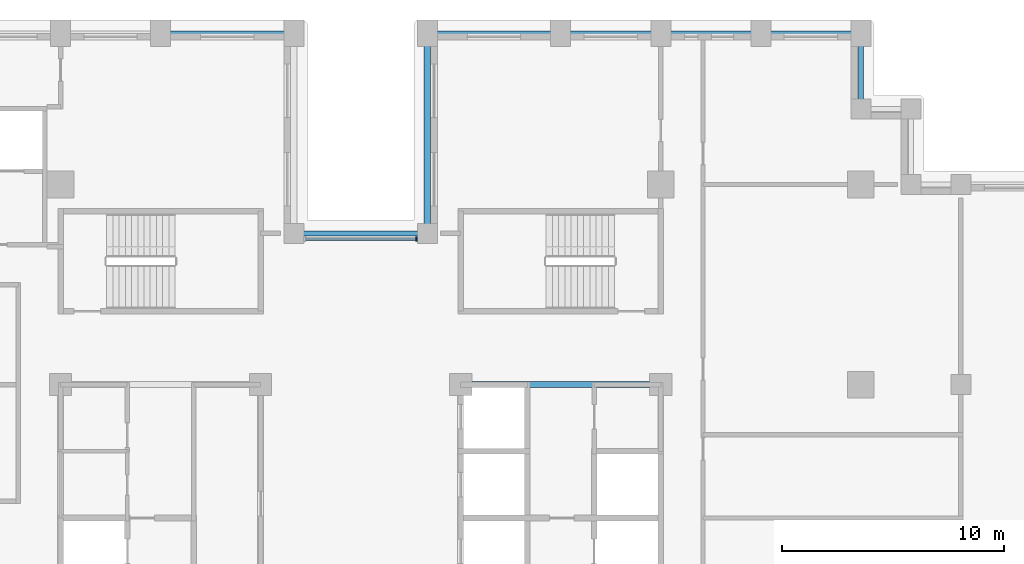
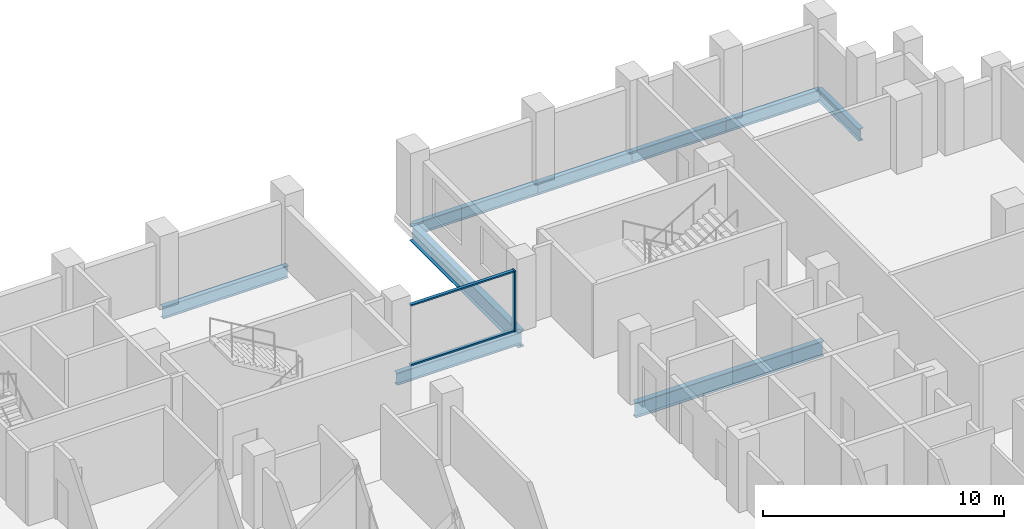
# One storey, part 4 of 15: 9 beams, 3 members, 1 element without a shape of its own.
"""IFC4 building model written with IfcOpenShell, lengths in metres."""

from ifc_helpers import new_model, si_unit, direction, frame, origin, origin_2d, place, context, subcontext, project, spatial, rectangle, i_section, extrude, material, layer, layer_set, material_profile, profile_set, type_object, element, aggregate, save


model = new_model("IFC4")

# Units and contexts
model_context = context("Model", 3, precision=1e-05, world=origin(), true_north=direction((0.0, 1.0)))
body_context = subcontext(model_context, "Body", "Model", "MODEL_VIEW")
ifc_project = project(units=[si_unit("LENGTHUNIT", "METRE"), si_unit("AREAUNIT", "SQUARE_METRE"), si_unit("VOLUMEUNIT", "CUBIC_METRE"), si_unit("PLANEANGLEUNIT", "RADIAN"), si_unit("MASSUNIT", "GRAM", prefix="KILO")], contexts=[model_context])

# Site, building, storey
site_placement = place(None, origin())
site = spatial("IfcSite", under=ifc_project, at=site_placement, CompositionType="ELEMENT")
building_placement = place(site_placement, origin())
building = spatial("IfcBuilding", under=site, at=building_placement, Name="Corbelhall Arena Tower", CompositionType="ELEMENT")
storey_placement = place(building_placement, frame((0.0, 0.0, 84.0)))
storey = spatial("IfcBuildingStorey", under=building, at=storey_placement, Name="L13", CompositionType="ELEMENT", Elevation=84.0)

# Curtain wall, members
ifc_material_1 = material(Name="Aluminium black anodised", Category="aluminium")
ifc_layer = layer(ifc_material_1, 0.199951171875)
ifc_layer_set = layer_set([ifc_layer], Name="EV-CW1 Slot back wall")
curtain_wall_type = type_object("IfcCurtainWallType", Name="EV-CW1 Slot back wall", PredefinedType="NOTDEFINED", material=ifc_layer_set)
curtain_wall_placement = place(storey_placement, origin())
curtain_wall = element("IfcCurtainWall", 1, at=curtain_wall_placement, inside=storey, type_object=curtain_wall_type, Name="Curtain wall CW1", PredefinedType="NOTDEFINED")
ifc_material_profile_1 = material_profile(ifc_material_1, rectangle(XDim=0.199951171875, YDim=0.074951171875, at=origin_2d()))
ifc_profile_set_1 = profile_set([ifc_material_profile_1], Name="Aluminium black anodised")
member_type_1 = type_object("IfcMemberType", Name="EV-CW1-MULLION", PredefinedType="MULLION", material=ifc_profile_set_1)
member_1_placement = place(storey_placement, frame((2.512451171875, 15.550048828125, 0.0), z_axis=(0.0, 0.0, 1.0), x_axis=(0.0, -1.0, 0.0)))
member_1 = element("IfcMember", 2, at=member_1_placement, type_object=member_type_1, Name="CW1 mullion 1", PredefinedType="MULLION", context=body_context, shape_type="SweptSolid", body=[
    extrude(rectangle(XDim=0.199951171875, YDim=0.074951171875, at=origin_2d()), origin(), (0.0, 0.0, 1.0), 3.10009765625),
])
ifc_material_profile_2 = material_profile(ifc_material_1, rectangle(XDim=0.14990234375, YDim=0.074951171875, at=origin_2d()))
ifc_profile_set_2 = profile_set([ifc_material_profile_2], Name="Aluminium black anodised")
member_type_2 = type_object("IfcMemberType", Name="EV-CW1-TRANSOM", PredefinedType="USERDEFINED", material=ifc_profile_set_2)
member_2_placement = place(storey_placement, frame((2.47509765625, 15.550048828125, 0.03759765625), z_axis=(-1.0, 0.0, 0.0), x_axis=(0.0, -1.0, 0.0)))
member_2 = element("IfcMember", 3, at=member_2_placement, type_object=member_type_2, Name="CW1 transom 1.1", ObjectType="transom", PredefinedType="USERDEFINED", context=body_context, shape_type="SweptSolid", body=[
    extrude(rectangle(XDim=0.14990234375, YDim=0.074951171875, at=origin_2d()), origin(), (0.0, 0.0, 1.0), 4.9501953125),
])
member_3_placement = place(storey_placement, frame((2.47509765625, 15.550048828125, 3.0625), z_axis=(-1.0, 0.0, 0.0), x_axis=(0.0, -1.0, 0.0)))
member_3 = element("IfcMember", 4, at=member_3_placement, type_object=member_type_2, Name="CW1 transom 1.2", ObjectType="transom", PredefinedType="USERDEFINED", context=body_context, shape_type="SweptSolid", body=[
    extrude(rectangle(XDim=0.14990234375, YDim=0.074951171875, at=origin_2d()), origin(), (0.0, 0.0, 1.0), 4.9501953125),
])
aggregate(curtain_wall, [member_1, member_2, member_3])

# Beams
ifc_material_2 = material(Name="Steel ASTM A992 Gr50", Category="steel")
ifc_material_profile_3 = material_profile(ifc_material_2, i_section(OverallWidth=0.2666015625, OverallDepth=0.761962890625, WebThickness=0.014404296875, FlangeThickness=0.021484375, at=origin_2d()))
ifc_profile_set_3 = profile_set([ifc_material_profile_3], Name="Steel ASTM A992 Gr50")
beam_type_1 = type_object("IfcBeamType", Name="ST-BEAM-W30x116", PredefinedType="BEAM", material=ifc_profile_set_3)
beam_1_placement = place(storey_placement, frame((4.5, 9.0, -0.680908203125), z_axis=(1.0, 0.0, 0.0), x_axis=(0.0, 1.0, 0.0)))
element("IfcBeam", 5, at=beam_1_placement, inside=storey, type_object=beam_type_1, Name="Beam CEE 12", PredefinedType="BEAM", context=body_context, shape_type="SweptSolid", body=[
    extrude(i_section(OverallWidth=0.2666015625, OverallDepth=0.761962890625, WebThickness=0.014404296875, FlangeThickness=0.021484375, at=origin_2d()), origin(), (0.0, 0.0, 1.0), 9.0),
])
ifc_material_profile_4 = material_profile(ifc_material_2, i_section(OverallWidth=0.23046875, OverallDepth=0.6171875, WebThickness=0.01318359375, FlangeThickness=0.022216796875, at=origin_2d()))
ifc_profile_set_4 = profile_set([ifc_material_profile_4], Name="Steel ASTM A992 Gr50")
beam_type_2 = type_object("IfcBeamType", Name="ST-SPANDREL-W24x94", PredefinedType="SPANDREL", material=ifc_profile_set_4)
beam_2_placement = place(storey_placement, frame((3.0, 24.800048828125, -0.608642578125), z_axis=(1.0, 0.0, 0.0), x_axis=(0.0, 1.0, 0.0)))
element("IfcBeam", 6, at=beam_2_placement, inside=storey, type_object=beam_type_2, Name="Beam SP 17", PredefinedType="SPANDREL", context=body_context, shape_type="SweptSolid", body=[
    extrude(i_section(OverallWidth=0.23046875, OverallDepth=0.6171875, WebThickness=0.01318359375, FlangeThickness=0.022216796875, at=origin_2d()), origin(), (0.0, 0.0, 1.0), 6.0),
])
for number, where, z_axis, x_axis, name in (
    (7, (9.0, 24.800048828125, -0.608642578125), (1.0, 0.0, 0.0), (0.0, 1.0, 0.0), "Beam SP 18"),
    (8, (13.5, 24.800048828125, -0.608642578125), (1.0, 0.0, 0.0), (0.0, 1.0, 0.0), "Beam SP 19"),
    (9, (18.0, 24.800048828125, -0.608642578125), (1.0, 0.0, 0.0), (0.0, 1.0, 0.0), "Beam SP 20"),
):
    element("IfcBeam", number, at=place(storey_placement, frame(where, z_axis=z_axis, x_axis=x_axis)), inside=storey, type_object=beam_type_2, Name=name, PredefinedType="SPANDREL", context=body_context, shape_type="SweptSolid", body=[
        extrude(i_section(OverallWidth=0.23046875, OverallDepth=0.6171875, WebThickness=0.01318359375, FlangeThickness=0.022216796875, at=origin_2d()), origin(), (0.0, 0.0, 1.0), 4.5),
    ])
beam_3_placement = place(storey_placement, frame((22.5, 24.800048828125, -0.608642578125), z_axis=(0.0, -1.0, 0.0), x_axis=(1.0, 0.0, 0.0)))
element("IfcBeam", 10, at=beam_3_placement, inside=storey, type_object=beam_type_2, Name="Beam SP 21", PredefinedType="SPANDREL", context=body_context, shape_type="SweptSolid", body=[
    extrude(i_section(OverallWidth=0.23046875, OverallDepth=0.6171875, WebThickness=0.01318359375, FlangeThickness=0.022216796875, at=origin_2d()), origin(), (0.0, 0.0, 1.0), 3.400146484375),
])
for number, where, z_axis, x_axis, name in (
    (11, (-9.0, 24.800048828125, -0.608642578125), (1.0, 0.0, 0.0), (0.0, 1.0, 0.0), "Beam SP 23"),
    (12, (-3.0, 15.800048828125, -0.608642578125), (1.0, 0.0, 0.0), (0.0, 1.0, 0.0), "Beam SP 40"),
):
    element("IfcBeam", number, at=place(storey_placement, frame(where, z_axis=z_axis, x_axis=x_axis)), inside=storey, type_object=beam_type_2, Name=name, PredefinedType="SPANDREL", context=body_context, shape_type="SweptSolid", body=[
        extrude(i_section(OverallWidth=0.23046875, OverallDepth=0.6171875, WebThickness=0.01318359375, FlangeThickness=0.022216796875, at=origin_2d()), origin(), (0.0, 0.0, 1.0), 6.0),
    ])
ifc_material_profile_5 = material_profile(ifc_material_2, i_section(OverallWidth=0.2919921875, OverallDepth=0.845703125, WebThickness=0.015380859375, FlangeThickness=0.0244140625, at=origin_2d()))
ifc_profile_set_5 = profile_set([ifc_material_profile_5], Name="Steel ASTM A992 Gr50")
beam_type_3 = type_object("IfcBeamType", Name="ST-SPANDREL-W33x141", PredefinedType="SPANDREL", material=ifc_profile_set_5)
beam_4_placement = place(storey_placement, frame((3.0, 15.800048828125, -0.722900390625), z_axis=(0.0, 1.0, 0.0), x_axis=(-1.0, 0.0, 0.0)))
element("IfcBeam", 13, at=beam_4_placement, inside=storey, type_object=beam_type_3, Name="Beam SP 39", PredefinedType="SPANDREL", context=body_context, shape_type="SweptSolid", body=[
    extrude(i_section(OverallWidth=0.2919921875, OverallDepth=0.845703125, WebThickness=0.015380859375, FlangeThickness=0.0244140625, at=origin_2d()), origin(), (0.0, 0.0, 1.0), 9.0),
])

save(model, "model.ifc")
